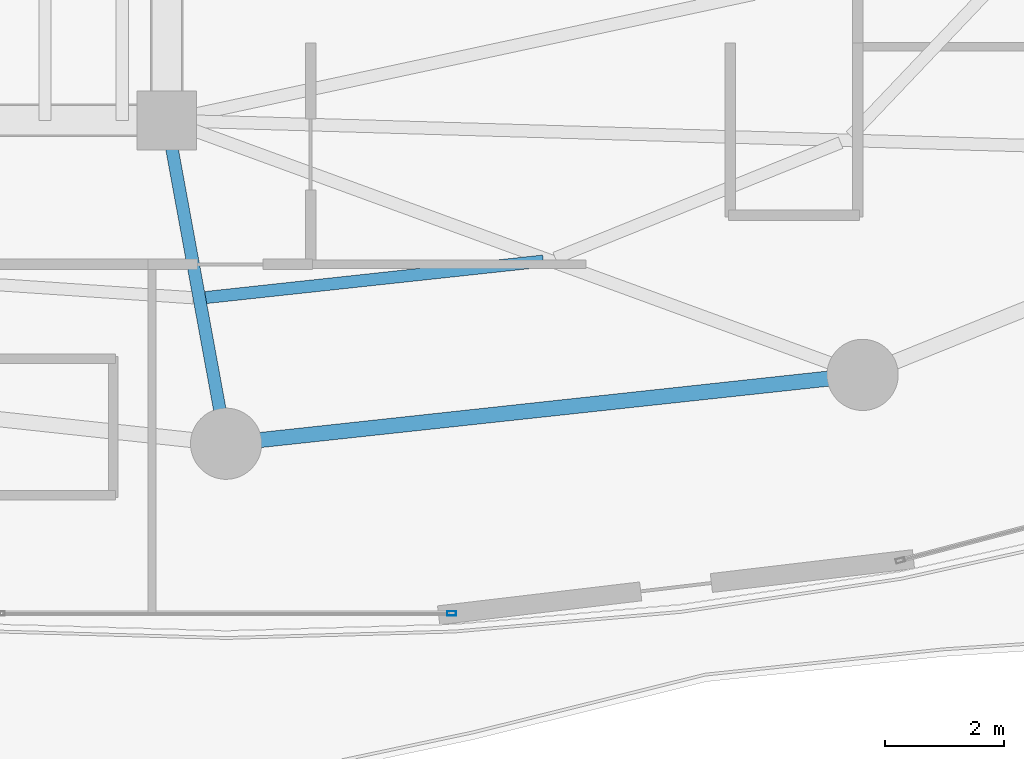
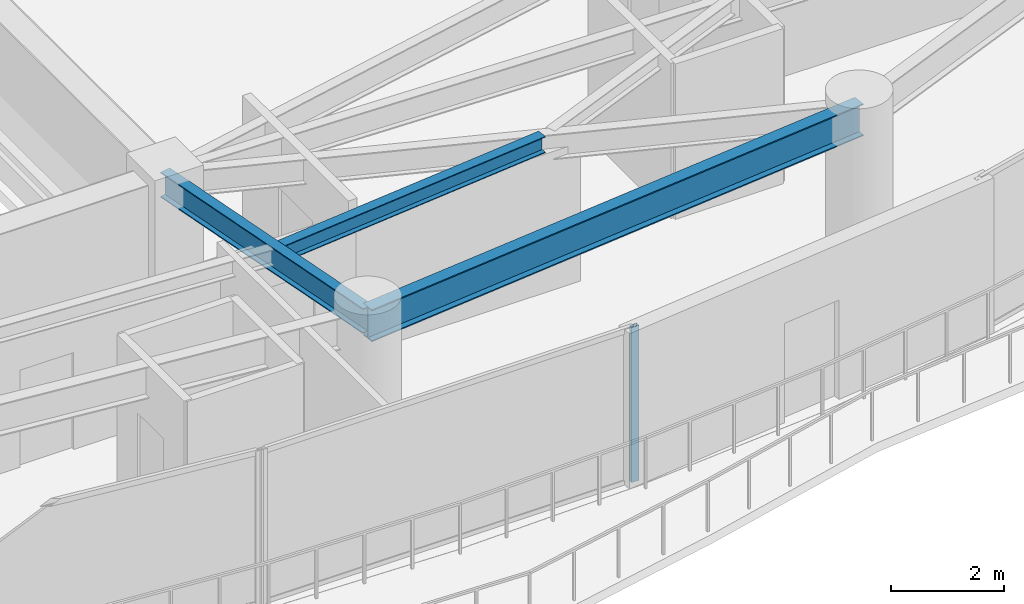
# One storey, part 10 of 34: 3 beams, 1 member, 1 element without a shape of its own.
"""IFC4 building model written with IfcOpenShell, lengths in metres."""

from ifc_helpers import new_model, si_unit, direction, frame, origin, origin_2d, place, context, subcontext, project, spatial, hollow_rectangle, i_section, extrude, material, layer, layer_set, material_profile, profile_set, type_object, element, aggregate, save


model = new_model("IFC4")

# Units and contexts
model_context = context("Model", 3, precision=1e-05, world=origin(), true_north=direction((0.0, 1.0)))
body_context = subcontext(model_context, "Body", "Model", "MODEL_VIEW")
ifc_project = project(units=[si_unit("LENGTHUNIT", "METRE"), si_unit("AREAUNIT", "SQUARE_METRE"), si_unit("VOLUMEUNIT", "CUBIC_METRE"), si_unit("PLANEANGLEUNIT", "RADIAN"), si_unit("MASSUNIT", "GRAM", prefix="KILO")], contexts=[model_context])

# Site, building, storey
site_placement = place(None, origin())
site = spatial("IfcSite", under=ifc_project, at=site_placement, CompositionType="ELEMENT")
building_placement = place(site_placement, origin())
building = spatial("IfcBuilding", under=site, at=building_placement, Name="Kazevale Care Tower and Concert Hall", CompositionType="ELEMENT")
storey_placement = place(building_placement, frame((0.0, 0.0, 174.60009765625)))
storey = spatial("IfcBuildingStorey", under=building, at=storey_placement, Name="L46", CompositionType="ELEMENT", Elevation=174.60009765625)

# Curtain wall, member
ifc_material_1 = material(Name="Aluminium 6063-T6 and Low-E Glass", Category="aluminium")
ifc_layer = layer(ifc_material_1, 0.179931640625)
ifc_layer_set = layer_set([ifc_layer], Name="Aluminium 6063-T6 and Low-E Glass")
curtain_wall_type = type_object("IfcCurtainWallType", Name="Sheltered Concave Balcony Curtain Wall CW-5", PredefinedType="NOTDEFINED", material=ifc_layer_set)
curtain_wall_placement = place(storey_placement, origin())
curtain_wall = element("IfcCurtainWall", 1, at=curtain_wall_placement, inside=storey, type_object=curtain_wall_type, Name="cw:L46:f06", PredefinedType="NOTDEFINED")
ifc_material_2 = material(Name="Aluminium 6063-T6", Category="aluminium")
ifc_material_profile_1 = material_profile(ifc_material_2, hollow_rectangle(XDim=0.074951171875, YDim=0.14990234375, WallThickness=0.00390625, at=origin_2d()), Name="ALU75x150x4")
ifc_profile_set_1 = profile_set([ifc_material_profile_1], Name="Aluminium 6063-T6")
member_type = type_object("IfcMemberType", Name="CW-5 Mullion ALU75x150x4", PredefinedType="MULLION", material=ifc_profile_set_1)
member_placement = place(storey_placement, frame((48.803466796875, 15.2890625, 0.0), z_axis=(0.0, 0.0, 1.0), x_axis=(0.0, -1.0, 0.0)))
member = element("IfcMember", 2, at=member_placement, type_object=member_type, Name="CW-5 mullion 1", PredefinedType="MULLION", context=body_context, shape_type="SweptSolid", body=[
    extrude(hollow_rectangle(XDim=0.074951171875, YDim=0.14990234375, WallThickness=0.00390625, at=origin_2d()), origin(), (0.0, 0.0, 1.0), 3.35986328125),
])
aggregate(curtain_wall, [member])

# Beams
ifc_material_3 = material(Name="Steel ASTM A572 Gr 50", Category="steel")
ifc_material_profile_2 = material_profile(ifc_material_3, i_section(OverallWidth=0.2119140625, OverallDepth=0.5439453125, WebThickness=0.01318359375, FlangeThickness=0.021240234375, at=origin_2d()), Name="W530x123")
ifc_profile_set_2 = profile_set([ifc_material_profile_2], Name="Steel ASTM A572 Gr 50")
beam_type_1 = type_object("IfcBeamType", Name="Radial Floor Girder W530x123", PredefinedType="BEAM", material=ifc_profile_set_2)
beam_1_placement = place(storey_placement, frame((44.0, 23.60009765625, 3.087890625), z_axis=(0.180467114023, -0.983581018908, 0.0), x_axis=(0.983581018908, 0.180467114023, 0.0)))
element("IfcBeam", 3, at=beam_1_placement, inside=storey, type_object=beam_type_1, Name="beam:L46:rad:13", PredefinedType="BEAM", context=body_context, shape_type="SweptSolid", body=[
    extrude(i_section(OverallWidth=0.2119140625, OverallDepth=0.5439453125, WebThickness=0.01318359375, FlangeThickness=0.021240234375, at=origin_2d()), origin(), (0.0, 0.0, 1.0), 5.541259765625),
])
ifc_material_profile_3 = material_profile(ifc_material_3, i_section(OverallWidth=0.205078125, OverallDepth=0.35400390625, WebThickness=0.009521484375, FlangeThickness=0.016845703125, at=origin_2d()), Name="W360x79")
ifc_profile_set_3 = profile_set([ifc_material_profile_3], Name="Steel ASTM A572 Gr 50")
beam_type_2 = type_object("IfcBeamType", Name="Secondary Floor Joist W360x79", PredefinedType="JOIST", material=ifc_profile_set_3)
beam_2_placement = place(storey_placement, frame((44.654052734375, 20.614013671875, 3.182861328125), z_axis=(0.994215541126, 0.107403248482, 0.0), x_axis=(-0.107403248482, 0.994215541126, 0.0)))
element("IfcBeam", 4, at=beam_2_placement, inside=storey, type_object=beam_type_2, Name="beam:L46:joist:13", PredefinedType="JOIST", context=body_context, shape_type="SweptSolid", body=[
    extrude(i_section(OverallWidth=0.205078125, OverallDepth=0.35400390625, WebThickness=0.009521484375, FlangeThickness=0.016845703125, at=origin_2d()), origin(), (0.0, 0.0, 1.0), 5.72607421875),
])
ifc_material_profile_4 = material_profile(ifc_material_3, i_section(OverallWidth=0.256103515625, OverallDepth=0.693115234375, WebThickness=0.014404296875, FlangeThickness=0.023681640625, at=origin_2d()), Name="W690x170")
ifc_profile_set_4 = profile_set([ifc_material_profile_4], Name="Steel ASTM A572 Gr 50")
beam_type_3 = type_object("IfcBeamType", Name="Waist Ring Beam W690x170", PredefinedType="BEAM", material=ifc_profile_set_4)
beam_3_placement = place(storey_placement, frame((45.0, 18.14990234375, 3.013427734375), z_axis=(0.994205479487, 0.107496346724, 0.0), x_axis=(-0.107496346724, 0.994205479487, 0.0)))
element("IfcBeam", 5, at=beam_3_placement, inside=storey, type_object=beam_type_3, Name="beam:L46:ring:13", PredefinedType="BEAM", context=body_context, shape_type="SweptSolid", body=[
    extrude(i_section(OverallWidth=0.256103515625, OverallDepth=0.693115234375, WebThickness=0.014404296875, FlangeThickness=0.023681640625, at=origin_2d()), origin(), (0.0, 0.0, 1.0), 10.79248046875),
])

save(model, "model.ifc")
